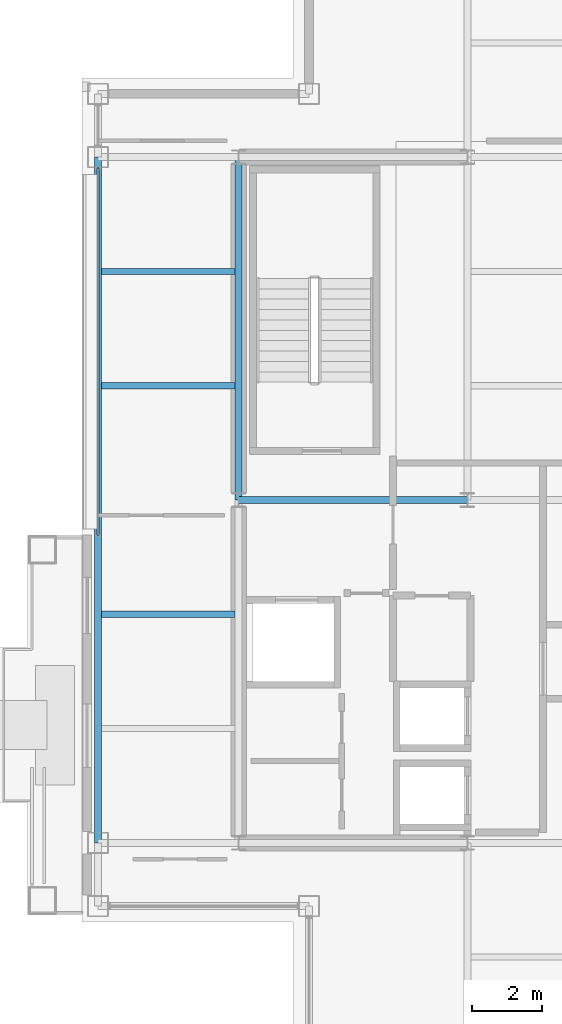
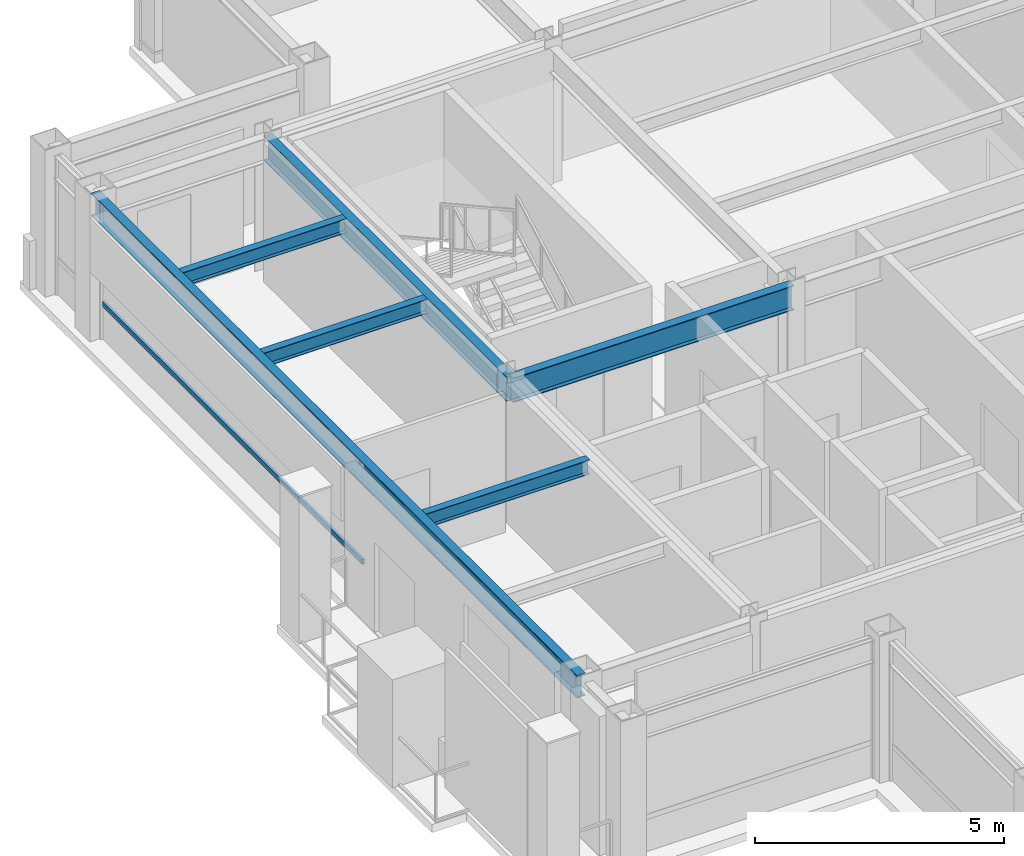
# One storey, part 10 of 27: 6 beams, 1 member, 1 element without a shape of its own.
"""IFC4 building model written with IfcOpenShell, lengths in metres."""

from ifc_helpers import new_model, si_unit, direction, frame, origin, origin_2d, place, context, subcontext, project, spatial, hollow_rectangle, i_section, extrude, material, layer, layer_set, material_profile, profile_set, type_object, element, aggregate, save


model = new_model("IFC4")

# Units and contexts
model_context = context("Model", 3, precision=1e-05, world=origin(), true_north=direction((0.0, 1.0)))
body_context = subcontext(model_context, "Body", "Model", "MODEL_VIEW")
ifc_project = project(units=[si_unit("LENGTHUNIT", "METRE"), si_unit("AREAUNIT", "SQUARE_METRE"), si_unit("VOLUMEUNIT", "CUBIC_METRE"), si_unit("PLANEANGLEUNIT", "RADIAN"), si_unit("MASSUNIT", "GRAM", prefix="KILO")], contexts=[model_context])

# Site, building, storey
site_placement = place(None, origin())
site = spatial("IfcSite", under=ifc_project, at=site_placement, CompositionType="ELEMENT")
building_placement = place(site_placement, origin())
building = spatial("IfcBuilding", under=site, at=building_placement, Name="Brelmoor Portico Tower", CompositionType="ELEMENT")
storey_placement = place(building_placement, frame((0.0, 0.0, 258.0)))
storey = spatial("IfcBuildingStorey", under=building, at=storey_placement, Name="L68", CompositionType="ELEMENT", Elevation=258.0)

# Beams
ifc_material_1 = material(Name="Steel Q355B", Category="steel")
ifc_material_profile_1 = material_profile(ifc_material_1, i_section(OverallWidth=0.175048828125, OverallDepth=0.35009765625, WebThickness=0.007080078125, FlangeThickness=0.010986328125, at=origin_2d()), Name="HN 350x175x7x11")
ifc_profile_set_1 = profile_set([ifc_material_profile_1], Name="Steel Q355B")
beam_type_1 = type_object("IfcBeamType", Name="BM-JS-350", PredefinedType="JOIST", material=ifc_profile_set_1)
for number, where, z_axis, x_axis, name in (
    (1, (-18.449951171875, -3.25, 3.22509765625), (1.0, 0.0, 0.0), (0.0, 1.0, 0.0), "L68 Secondary Wing Joist JS-W08"),
    (2, (-18.449951171875, 3.25, 3.22509765625), (1.0, 0.0, 0.0), (0.0, 1.0, 0.0), "L68 Secondary Wing Joist JS-W09"),
    (3, (-18.449951171875, 6.5, 3.22509765625), (1.0, 0.0, 0.0), (0.0, 1.0, 0.0), "L68 Secondary Wing Joist JS-W10"),
):
    element("IfcBeam", number, at=place(storey_placement, frame(where, z_axis=z_axis, x_axis=x_axis)), inside=storey, type_object=beam_type_1, Name=name, PredefinedType="JOIST", context=body_context, shape_type="SweptSolid", body=[
        extrude(i_section(OverallWidth=0.175048828125, OverallDepth=0.35009765625, WebThickness=0.007080078125, FlangeThickness=0.010986328125, at=origin_2d()), origin(), (0.0, 0.0, 1.0), 3.800048828125),
    ])
ifc_material_profile_2 = material_profile(ifc_material_1, i_section(OverallWidth=0.199951171875, OverallDepth=0.60009765625, WebThickness=0.010986328125, FlangeThickness=0.01708984375, at=origin_2d()), Name="HN 600x200x11x17")
ifc_profile_set_2 = profile_set([ifc_material_profile_2], Name="Steel Q355B")
beam_type_2 = type_object("IfcBeamType", Name="BM-PG-600", PredefinedType="BEAM", material=ifc_profile_set_2)
beam_1_placement = place(storey_placement, frame((-14.550048828125, 0.0, 3.10009765625), z_axis=(0.0, 1.0, 0.0), x_axis=(-1.0, 0.0, 0.0)))
element("IfcBeam", 4, at=beam_1_placement, inside=storey, type_object=beam_type_2, Name="L68 Primary Floor Girder PG-02", PredefinedType="BEAM", context=body_context, shape_type="SweptSolid", body=[
    extrude(i_section(OverallWidth=0.199951171875, OverallDepth=0.60009765625, WebThickness=0.010986328125, FlangeThickness=0.01708984375, at=origin_2d()), origin(), (0.0, 0.0, 1.0), 9.75),
])
beam_2_placement = place(storey_placement, frame((-14.550048828125, 0.0, 3.10009765625), z_axis=(1.0, 0.0, 0.0), x_axis=(0.0, 1.0, 0.0)))
element("IfcBeam", 5, at=beam_2_placement, inside=storey, type_object=beam_type_2, Name="L68 Primary Floor Girder PG-16", PredefinedType="BEAM", context=body_context, shape_type="SweptSolid", body=[
    extrude(i_section(OverallWidth=0.199951171875, OverallDepth=0.60009765625, WebThickness=0.010986328125, FlangeThickness=0.01708984375, at=origin_2d()), origin(), (0.0, 0.0, 1.0), 6.5),
])
ifc_material_profile_3 = material_profile(ifc_material_1, i_section(OverallWidth=0.199951171875, OverallDepth=0.550048828125, WebThickness=0.010009765625, FlangeThickness=0.01611328125, at=origin_2d()), Name="HN 550x200x10x16")
ifc_profile_set_3 = profile_set([ifc_material_profile_3], Name="Steel Q355B")
beam_type_3 = type_object("IfcBeamType", Name="BM-SP-550", PredefinedType="SPANDREL", material=ifc_profile_set_3)
beam_3_placement = place(storey_placement, frame((-18.550048828125, -9.75, 3.125), z_axis=(0.0, 1.0, 0.0), x_axis=(-1.0, 0.0, 0.0)))
element("IfcBeam", 6, at=beam_3_placement, inside=storey, type_object=beam_type_3, Name="L68 Perimeter Spandrel Beam SP-12", PredefinedType="SPANDREL", context=body_context, shape_type="SweptSolid", body=[
    extrude(i_section(OverallWidth=0.199951171875, OverallDepth=0.550048828125, WebThickness=0.010009765625, FlangeThickness=0.01611328125, at=origin_2d()), origin(), (0.0, 0.0, 1.0), 19.5),
])

# Curtain wall, member
ifc_material_2 = material(Name="Anodised Aluminium Alloy 6063-T6", Category="aluminium")
ifc_layer = layer(ifc_material_2, 0.179931640625)
ifc_layer_set = layer_set([ifc_layer], Name="Anodised Aluminium Alloy 6063-T6")
curtain_wall_type = type_object("IfcCurtainWallType", Name="CW-TOWER-Z4", PredefinedType="NOTDEFINED", material=ifc_layer_set)
curtain_wall_placement = place(storey_placement, origin())
curtain_wall = element("IfcCurtainWall", 7, at=curtain_wall_placement, inside=storey, type_object=curtain_wall_type, Name="L68 Curtain Wall CW-L68-3R-1", PredefinedType="NOTDEFINED")
ifc_material_profile_4 = material_profile(ifc_material_2, hollow_rectangle(XDim=0.06005859375, YDim=0.125, WallThickness=0.00341796875, at=origin_2d()), Name="ALU TRANSOM 60x125")
ifc_profile_set_4 = profile_set([ifc_material_profile_4], Name="Anodised Aluminium Alloy 6063-T6")
member_type = type_object("IfcMemberType", Name="MB-CW-TRAN-125", PredefinedType="USERDEFINED", material=ifc_profile_set_4)
member_placement = place(storey_placement, frame((-18.550048828125, -1.0, 0.85009765625), z_axis=(0.0, 1.0, 0.0), x_axis=(-1.0, 0.0, 0.0)))
member = element("IfcMember", 8, at=member_placement, type_object=member_type, Name="CW-L68-3R-1 Transom 1-00", ObjectType="TRANSOM", PredefinedType="USERDEFINED", context=body_context, shape_type="SweptSolid", body=[
    extrude(hollow_rectangle(XDim=0.06005859375, YDim=0.125, WallThickness=0.00341796875, at=origin_2d()), origin(), (0.0, 0.0, 1.0), 10.43994140625),
])
aggregate(curtain_wall, [member])

save(model, "model.ifc")
